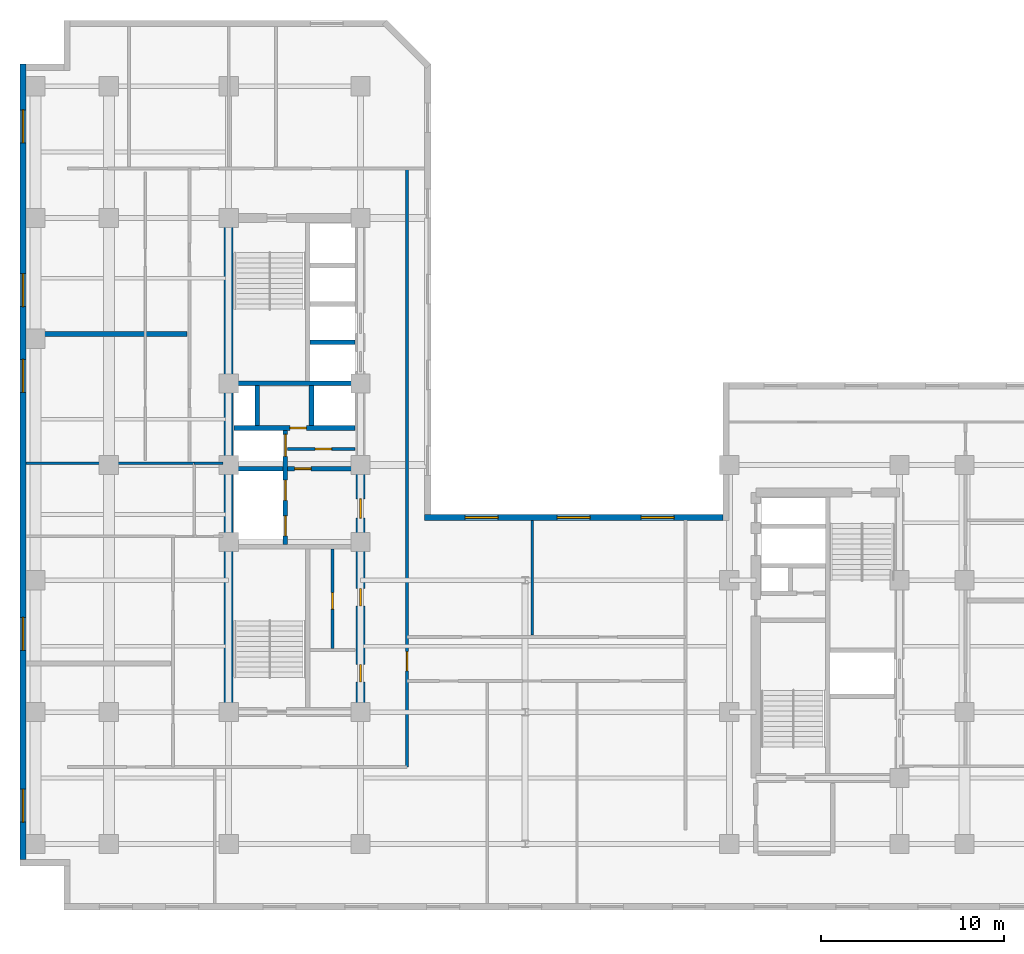
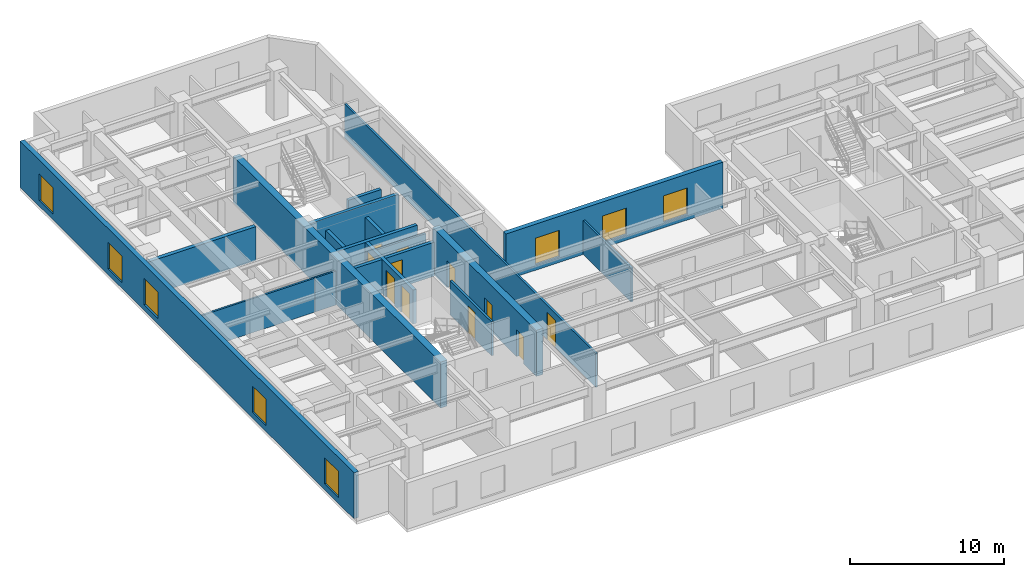
# One storey, part 4 of 10: 18 walls, 11 doors, 8 windows, 19 openings.
"""IFC4 building model written with IfcOpenShell, lengths in metres."""

from ifc_helpers import new_model, entity, si_unit, converted_unit, direction, frame, origin_with_axes, origin_2d_with_axis, place, context, subcontext, project, spatial, polyline, rectangle, outline, extrude, material, layer, layer_set, type_object, element, fill, save


model = new_model("IFC4")

# Units and contexts
model_context = context("Model", 3, precision=1e-05, world=origin_with_axes(), true_north=direction((0.0, 1.0)))
body_context = subcontext(model_context, "Body", "Model", "MODEL_VIEW")
ifc_project = project(units=[si_unit("LENGTHUNIT", "METRE"), si_unit("AREAUNIT", "SQUARE_METRE"), si_unit("VOLUMEUNIT", "CUBIC_METRE"), converted_unit("PLANEANGLEUNIT", "DEGREE", entity("IfcPlaneAngleMeasure", 0.017453292519943295), si_unit("PLANEANGLEUNIT", "RADIAN"), dimensions=[0, 0, 0, 0, 0, 0, 0]), si_unit("MASSUNIT", "GRAM", prefix="KILO"), si_unit("THERMODYNAMICTEMPERATUREUNIT", "KELVIN")], contexts=[model_context])

# Site, building, storey
site_placement = place(None, origin_with_axes())
site = spatial("IfcSite", under=ifc_project, at=site_placement, CompositionType="ELEMENT")
building_placement = place(site_placement, origin_with_axes())
building = spatial("IfcBuilding", under=site, at=building_placement, Name="Varnlund Millrace Tower", CompositionType="ELEMENT")
storey_placement = place(building_placement, frame((0.0, 0.0, 148.5), z_axis=(0.0, 0.0, 1.0), x_axis=(1.0, 0.0, 0.0)))
storey = spatial("IfcBuildingStorey", under=building, at=storey_placement, Name="L36", CompositionType="ELEMENT", Elevation=148.5)

# Wall
ifc_material_1 = material(Name="Concrete C70/85", Category="concrete")
ifc_layer_1 = layer(ifc_material_1, 0.5, Name="Concrete C70/85")
ifc_layer_set_1 = layer_set([ifc_layer_1], Name="Concrete C70/85")
wall_type_1 = type_object("IfcWallType", Name="Type-CoreWall-Shear-500-C70", PredefinedType="SHEAR", material=ifc_layer_set_1)
wall_1_placement = place(storey_placement, frame((11.4, 10.8, 0.0), z_axis=(0.0, 0.0, 1.0), x_axis=(0.0, 1.0, 0.0)))
element("IfcWall", 1, at=wall_1_placement, inside=storey, type_object=wall_type_1, Name="Type-CoreWall-Shear-500-C70", PredefinedType="SHEAR", context=body_context, shape_type="SweptSolid", body=[
    extrude(outline(polyline([(0.0, -0.25), (27.0, -0.25), (27.0, 0.25), (0.0, 0.25), (0.0, -0.25)])), origin_with_axes(), (0.0, 0.0, 1.0), 3.66),
])

# Wall, openings, doors
wall_2_placement = place(storey_placement, frame((18.6, 10.8, 0.0), z_axis=(0.0, 0.0, 1.0), x_axis=(0.0, 1.0, 0.0)))
wall_2 = element("IfcWall", 2, at=wall_2_placement, inside=storey, type_object=wall_type_1, Name="Type-CoreWall-Shear-500-C70", PredefinedType="SHEAR", context=body_context, shape_type="SweptSolid", body=[
    extrude(outline(polyline([(0.0, -0.25), (13.5, -0.25), (13.5, 0.25), (0.0, 0.25), (0.0, -0.25)])), origin_with_axes(), (0.0, 0.0, 1.0), 3.66),
])
opening_1_placement = place(wall_2_placement, frame((11.125, 0.0, 0.0), z_axis=(0.0, 0.0, 1.0), x_axis=(1.0, 0.0, 0.0)))
opening_1 = element("IfcOpeningElement", 3, at=opening_1_placement, cuts=wall_2, Name="Opening L36:DR-FFLOB-A", PredefinedType="OPENING", context=body_context, shape_type="SweptSolid", body=[
    extrude(rectangle(XDim=1.05, YDim=0.52, at=origin_2d_with_axis()), origin_with_axes(), (0.0, 0.0, 1.0), 2.15),
])
opening_2_placement = place(wall_2_placement, frame((2.125, 0.0, 0.0), z_axis=(0.0, 0.0, 1.0), x_axis=(1.0, 0.0, 0.0)))
opening_2 = element("IfcOpeningElement", 4, at=opening_2_placement, cuts=wall_2, Name="Opening L36:DR-RECL-A1-1", PredefinedType="OPENING", context=body_context, shape_type="SweptSolid", body=[
    extrude(rectangle(XDim=0.95, YDim=0.52, at=origin_2d_with_axis()), origin_with_axes(), (0.0, 0.0, 1.0), 2.15),
])
opening_3_placement = place(wall_2_placement, frame((6.275, 0.0, 0.0), z_axis=(0.0, 0.0, 1.0), x_axis=(1.0, 0.0, 0.0)))
opening_3 = element("IfcOpeningElement", 5, at=opening_3_placement, cuts=wall_2, Name="Opening L36:DR-RECL-A1-3", PredefinedType="OPENING", context=body_context, shape_type="SweptSolid", body=[
    extrude(rectangle(XDim=0.95, YDim=0.52, at=origin_2d_with_axis()), origin_with_axes(), (0.0, 0.0, 1.0), 2.15),
])
ifc_material_2 = material(Name="Smoke-barrier hollow steel fire door", Category="steel")
door_type_1 = type_object("IfcDoorType", Name="Type-FireDoor-Lobby-1050X2150", OperationType="NOTDEFINED", PredefinedType="DOOR", material=ifc_material_2)
door_1_placement = place(wall_2_placement, frame((11.125, 0.0, 0.0), z_axis=(0.0, 0.0, 1.0), x_axis=(1.0, 0.0, 0.0)))
door_1 = element("IfcDoor", 6, at=door_1_placement, inside=storey, type_object=door_type_1, Name="Type-FireDoor-Lobby-1050X2150", OperationType="SINGLE_SWING_LEFT", OverallHeight=2.15, OverallWidth=1.05, PredefinedType="DOOR", context=body_context, shape_type="SweptSolid", body=[
    extrude(rectangle(XDim=1.05, YDim=0.09, at=origin_2d_with_axis()), origin_with_axes(), (0.0, 0.0, 1.0), 2.15),
])
fill(opening_1, door_1)
ifc_material_3 = material(Name="Fire-rated hollow steel core service door", Category="steel")
door_type_2 = type_object("IfcDoorType", Name="Type-FireDoor-Service-950X2150", OperationType="NOTDEFINED", PredefinedType="DOOR", material=ifc_material_3)
door_2_placement = place(wall_2_placement, frame((2.125, 0.0, 0.0), z_axis=(0.0, 0.0, 1.0), x_axis=(1.0, 0.0, 0.0)))
door_2 = element("IfcDoor", 7, at=door_2_placement, inside=storey, type_object=door_type_2, Name="Type-FireDoor-Service-950X2150", OperationType="SINGLE_SWING_LEFT", OverallHeight=2.15, OverallWidth=0.95, PredefinedType="DOOR", context=body_context, shape_type="SweptSolid", body=[
    extrude(rectangle(XDim=0.95, YDim=0.09, at=origin_2d_with_axis()), origin_with_axes(), (0.0, 0.0, 1.0), 2.15),
])
fill(opening_2, door_2)
door_3_placement = place(wall_2_placement, frame((6.275, 0.0, 0.0), z_axis=(0.0, 0.0, 1.0), x_axis=(1.0, 0.0, 0.0)))
door_3 = element("IfcDoor", 8, at=door_3_placement, inside=storey, type_object=door_type_2, Name="Type-FireDoor-Service-950X2150", OperationType="SINGLE_SWING_RIGHT", OverallHeight=2.15, OverallWidth=0.95, PredefinedType="DOOR", context=body_context, shape_type="SweptSolid", body=[
    extrude(rectangle(XDim=0.95, YDim=0.09, at=origin_2d_with_axis()), origin_with_axes(), (0.0, 0.0, 1.0), 2.15),
])
fill(opening_3, door_3)

# Wall, openings, windows
ifc_material_4 = material(Name="Precast concrete C50/60", Category="concrete")
ifc_layer_2 = layer(ifc_material_4, 0.34, Name="Precast concrete C50/60")
ifc_layer_set_2 = layer_set([ifc_layer_2], Name="Precast concrete C50/60")
wall_type_2 = type_object("IfcWallType", Name="Type-ExtWall-Precast-Upper-340", PredefinedType="SOLIDWALL", material=ifc_layer_set_2)
wall_3_placement = place(storey_placement, frame((0.17, 2.74, 0.0), z_axis=(0.0, 0.0, 1.0), x_axis=(0.0, 1.0, 0.0)))
wall_3 = element("IfcWall", 9, at=wall_3_placement, inside=storey, type_object=wall_type_2, Name="Type-ExtWall-Precast-Upper-340", PredefinedType="SOLIDWALL", context=body_context, shape_type="SweptSolid", body=[
    extrude(outline(polyline([(0.0, -0.17), (43.46, -0.17), (43.46, 0.17), (0.0, 0.17), (0.0, -0.17)])), origin_with_axes(), (0.0, 0.0, 1.0), 3.66),
])
opening_4_placement = place(wall_3_placement, frame((2.948, 0.0, 0.45), z_axis=(0.0, 0.0, 1.0), x_axis=(1.0, 0.0, 0.0)))
opening_4 = element("IfcOpeningElement", 10, at=opening_4_placement, cuts=wall_3, Name="Opening L36:WN-19", PredefinedType="OPENING", context=body_context, shape_type="SweptSolid", body=[
    extrude(rectangle(XDim=1.8, YDim=0.36, at=origin_2d_with_axis()), origin_with_axes(), (0.0, 0.0, 1.0), 2.1),
])
opening_5_placement = place(wall_3_placement, frame((12.339, 0.0, 0.45), z_axis=(0.0, 0.0, 1.0), x_axis=(1.0, 0.0, 0.0)))
opening_5 = element("IfcOpeningElement", 11, at=opening_5_placement, cuts=wall_3, Name="Opening L36:WN-20", PredefinedType="OPENING", context=body_context, shape_type="SweptSolid", body=[
    extrude(rectangle(XDim=1.8, YDim=0.36, at=origin_2d_with_axis()), origin_with_axes(), (0.0, 0.0, 1.0), 2.1),
])
opening_6_placement = place(wall_3_placement, frame((26.426, 0.0, 0.45), z_axis=(0.0, 0.0, 1.0), x_axis=(1.0, 0.0, 0.0)))
opening_6 = element("IfcOpeningElement", 12, at=opening_6_placement, cuts=wall_3, Name="Opening L36:WN-21", PredefinedType="OPENING", context=body_context, shape_type="SweptSolid", body=[
    extrude(rectangle(XDim=1.8, YDim=0.36, at=origin_2d_with_axis()), origin_with_axes(), (0.0, 0.0, 1.0), 2.1),
])
opening_7_placement = place(wall_3_placement, frame((31.121, 0.0, 0.45), z_axis=(0.0, 0.0, 1.0), x_axis=(1.0, 0.0, 0.0)))
opening_7 = element("IfcOpeningElement", 13, at=opening_7_placement, cuts=wall_3, Name="Opening L36:WN-22", PredefinedType="OPENING", context=body_context, shape_type="SweptSolid", body=[
    extrude(rectangle(XDim=1.8, YDim=0.36, at=origin_2d_with_axis()), origin_with_axes(), (0.0, 0.0, 1.0), 2.1),
])
opening_8_placement = place(wall_3_placement, frame((40.062, 0.0, 0.45), z_axis=(0.0, 0.0, 1.0), x_axis=(1.0, 0.0, 0.0)))
opening_8 = element("IfcOpeningElement", 14, at=opening_8_placement, cuts=wall_3, Name="Opening L36:WN-23", PredefinedType="OPENING", context=body_context, shape_type="SweptSolid", body=[
    extrude(rectangle(XDim=1.8, YDim=0.36, at=origin_2d_with_axis()), origin_with_axes(), (0.0, 0.0, 1.0), 2.1),
])
ifc_material_5 = material(Name="Argon low-e triple glazing in thermally broken bronze frame", Category="glass")
window_type = type_object("IfcWindowType", Name="Type-Window-Punched-1800X2100", PartitioningType="SINGLE_PANEL", PredefinedType="WINDOW", material=ifc_material_5)
window_1_placement = place(wall_3_placement, frame((2.948, 0.0, 0.45), z_axis=(0.0, 0.0, 1.0), x_axis=(1.0, 0.0, 0.0)))
window_1 = element("IfcWindow", 15, at=window_1_placement, inside=storey, type_object=window_type, Name="Type-Window-Punched-1800X2100", OverallHeight=2.1, OverallWidth=1.8, PredefinedType="WINDOW", context=body_context, shape_type="SweptSolid", body=[
    extrude(rectangle(XDim=1.8, YDim=0.09, at=origin_2d_with_axis()), origin_with_axes(), (0.0, 0.0, 1.0), 2.1),
])
fill(opening_4, window_1)
window_2_placement = place(wall_3_placement, frame((12.339, 0.0, 0.45), z_axis=(0.0, 0.0, 1.0), x_axis=(1.0, 0.0, 0.0)))
window_2 = element("IfcWindow", 16, at=window_2_placement, inside=storey, type_object=window_type, Name="Type-Window-Punched-1800X2100", OverallHeight=2.1, OverallWidth=1.8, PredefinedType="WINDOW", context=body_context, shape_type="SweptSolid", body=[
    extrude(rectangle(XDim=1.8, YDim=0.09, at=origin_2d_with_axis()), origin_with_axes(), (0.0, 0.0, 1.0), 2.1),
])
fill(opening_5, window_2)
window_3_placement = place(wall_3_placement, frame((26.426, 0.0, 0.45), z_axis=(0.0, 0.0, 1.0), x_axis=(1.0, 0.0, 0.0)))
window_3 = element("IfcWindow", 17, at=window_3_placement, inside=storey, type_object=window_type, Name="Type-Window-Punched-1800X2100", OverallHeight=2.1, OverallWidth=1.8, PredefinedType="WINDOW", context=body_context, shape_type="SweptSolid", body=[
    extrude(rectangle(XDim=1.8, YDim=0.09, at=origin_2d_with_axis()), origin_with_axes(), (0.0, 0.0, 1.0), 2.1),
])
fill(opening_6, window_3)
window_4_placement = place(wall_3_placement, frame((31.121, 0.0, 0.45), z_axis=(0.0, 0.0, 1.0), x_axis=(1.0, 0.0, 0.0)))
window_4 = element("IfcWindow", 18, at=window_4_placement, inside=storey, type_object=window_type, Name="Type-Window-Punched-1800X2100", OverallHeight=2.1, OverallWidth=1.8, PredefinedType="WINDOW", context=body_context, shape_type="SweptSolid", body=[
    extrude(rectangle(XDim=1.8, YDim=0.09, at=origin_2d_with_axis()), origin_with_axes(), (0.0, 0.0, 1.0), 2.1),
])
fill(opening_7, window_4)
window_5_placement = place(wall_3_placement, frame((40.062, 0.0, 0.45), z_axis=(0.0, 0.0, 1.0), x_axis=(1.0, 0.0, 0.0)))
window_5 = element("IfcWindow", 19, at=window_5_placement, inside=storey, type_object=window_type, Name="Type-Window-Punched-1800X2100", OverallHeight=2.1, OverallWidth=1.8, PredefinedType="WINDOW", context=body_context, shape_type="SweptSolid", body=[
    extrude(rectangle(XDim=1.8, YDim=0.09, at=origin_2d_with_axis()), origin_with_axes(), (0.0, 0.0, 1.0), 2.1),
])
fill(opening_8, window_5)

wall_4_placement = place(storey_placement, frame((22.101, 21.43, 0.0), z_axis=(0.0, 0.0, 1.0), x_axis=(1.0, 0.0, 0.0)))
wall_4 = element("IfcWall", 20, at=wall_4_placement, inside=storey, type_object=wall_type_2, Name="Type-ExtWall-Precast-Upper-340", PredefinedType="SOLIDWALL", context=body_context, shape_type="SweptSolid", body=[
    extrude(outline(polyline([(0.0, -0.17), (16.299, -0.17), (16.299, 0.17), (0.0, 0.17), (0.0, -0.17)])), origin_with_axes(), (0.0, 0.0, 1.0), 3.66),
])
opening_9_placement = place(wall_4_placement, frame((3.117, 0.0, 0.45), z_axis=(0.0, 0.0, 1.0), x_axis=(1.0, 0.0, 0.0)))
opening_9 = element("IfcOpeningElement", 21, at=opening_9_placement, cuts=wall_4, Name="Opening L36:WN-30", PredefinedType="OPENING", context=body_context, shape_type="SweptSolid", body=[
    extrude(rectangle(XDim=1.8, YDim=0.36, at=origin_2d_with_axis()), origin_with_axes(), (0.0, 0.0, 1.0), 2.1),
])
opening_10_placement = place(wall_4_placement, frame((8.149, 0.0, 0.45), z_axis=(0.0, 0.0, 1.0), x_axis=(1.0, 0.0, 0.0)))
opening_10 = element("IfcOpeningElement", 22, at=opening_10_placement, cuts=wall_4, Name="Opening L36:WN-31", PredefinedType="OPENING", context=body_context, shape_type="SweptSolid", body=[
    extrude(rectangle(XDim=1.8, YDim=0.36, at=origin_2d_with_axis()), origin_with_axes(), (0.0, 0.0, 1.0), 2.1),
])
opening_11_placement = place(wall_4_placement, frame((12.733, 0.0, 0.45), z_axis=(0.0, 0.0, 1.0), x_axis=(1.0, 0.0, 0.0)))
opening_11 = element("IfcOpeningElement", 23, at=opening_11_placement, cuts=wall_4, Name="Opening L36:WN-32", PredefinedType="OPENING", context=body_context, shape_type="SweptSolid", body=[
    extrude(rectangle(XDim=1.8, YDim=0.36, at=origin_2d_with_axis()), origin_with_axes(), (0.0, 0.0, 1.0), 2.1),
])
window_6_placement = place(wall_4_placement, frame((3.117, 0.0, 0.45), z_axis=(0.0, 0.0, 1.0), x_axis=(1.0, 0.0, 0.0)))
window_6 = element("IfcWindow", 24, at=window_6_placement, inside=storey, type_object=window_type, Name="Type-Window-Punched-1800X2100", OverallHeight=2.1, OverallWidth=1.8, PredefinedType="WINDOW", context=body_context, shape_type="SweptSolid", body=[
    extrude(rectangle(XDim=1.8, YDim=0.09, at=origin_2d_with_axis()), origin_with_axes(), (0.0, 0.0, 1.0), 2.1),
])
fill(opening_9, window_6)
window_7_placement = place(wall_4_placement, frame((8.149, 0.0, 0.45), z_axis=(0.0, 0.0, 1.0), x_axis=(1.0, 0.0, 0.0)))
window_7 = element("IfcWindow", 25, at=window_7_placement, inside=storey, type_object=window_type, Name="Type-Window-Punched-1800X2100", OverallHeight=2.1, OverallWidth=1.8, PredefinedType="WINDOW", context=body_context, shape_type="SweptSolid", body=[
    extrude(rectangle(XDim=1.8, YDim=0.09, at=origin_2d_with_axis()), origin_with_axes(), (0.0, 0.0, 1.0), 2.1),
])
fill(opening_10, window_7)
window_8_placement = place(wall_4_placement, frame((12.733, 0.0, 0.45), z_axis=(0.0, 0.0, 1.0), x_axis=(1.0, 0.0, 0.0)))
window_8 = element("IfcWindow", 26, at=window_8_placement, inside=storey, type_object=window_type, Name="Type-Window-Punched-1800X2100", OverallHeight=2.1, OverallWidth=1.8, PredefinedType="WINDOW", context=body_context, shape_type="SweptSolid", body=[
    extrude(rectangle(XDim=1.8, YDim=0.09, at=origin_2d_with_axis()), origin_with_axes(), (0.0, 0.0, 1.0), 2.1),
])
fill(opening_11, window_8)

# Wall
ifc_material_6 = material(Name="Double-stud STC-60 conference acoustic partition", Category="gypsum")
ifc_layer_3 = layer(ifc_material_6, 0.28, Name="Double-stud STC-60 conference acoustic partition")
ifc_layer_set_3 = layer_set([ifc_layer_3], Name="Double-stud STC-60 conference acoustic partition")
wall_type_3 = type_object("IfcWallType", Name="Type-Partition-Acoustic-280", PredefinedType="PARTITIONING", material=ifc_layer_set_3)
wall_5_placement = place(storey_placement, frame((0.335, 31.455, 0.0), z_axis=(0.0, 0.0, 1.0), x_axis=(1.0, 0.0, 0.0)))
element("IfcWall", 27, at=wall_5_placement, inside=storey, type_object=wall_type_3, Name="Type-Partition-Acoustic-280", PredefinedType="PARTITIONING", context=body_context, shape_type="SweptSolid", body=[
    extrude(outline(polyline([(0.0, -0.14), (8.795, -0.14), (8.795, 0.14), (0.0, 0.14), (0.0, -0.14)])), origin_with_axes(), (0.0, 0.0, 1.0), 2.7),
])

# Wall, opening, door
ifc_material_7 = material(Name="Fire-rated gypsum board on cold-formed steel framing", Category="steel")
ifc_layer_4 = layer(ifc_material_7, 0.16, Name="Fire-rated gypsum board on cold-formed steel framing")
ifc_layer_set_4 = layer_set([ifc_layer_4], Name="Fire-rated gypsum board on cold-formed steel framing")
wall_type_4 = type_object("IfcWallType", Name="Type-Partition-Corridor-160", PredefinedType="PARTITIONING", material=ifc_layer_set_4)
wall_6_placement = place(storey_placement, frame((14.62, 25.18, 0.0), z_axis=(0.0, 0.0, 1.0), x_axis=(1.0, 0.0, 0.0)))
wall_6 = element("IfcWall", 28, at=wall_6_placement, inside=storey, type_object=wall_type_4, Name="Type-Partition-Corridor-160", PredefinedType="PARTITIONING", context=body_context, shape_type="SweptSolid", body=[
    extrude(outline(polyline([(0.0, -0.08), (3.68, -0.08), (3.68, 0.08), (0.0, 0.08), (0.0, -0.08)])), origin_with_axes(), (0.0, 0.0, 1.0), 2.7),
])
opening_12_placement = place(wall_6_placement, frame((1.95, 0.0, 0.0), z_axis=(0.0, 0.0, 1.0), x_axis=(1.0, 0.0, 0.0)))
opening_12 = element("IfcOpeningElement", 29, at=opening_12_placement, cuts=wall_6, Name="Opening L36:DR-CA-SUB2", PredefinedType="OPENING", context=body_context, shape_type="SweptSolid", body=[
    extrude(rectangle(XDim=0.9, YDim=0.18, at=origin_2d_with_axis()), origin_with_axes(), (0.0, 0.0, 1.0), 2.15),
])
ifc_material_8 = material(Name="Painted steel riser and closet door", Category="steel")
door_type_3 = type_object("IfcDoorType", Name="Type-IntDoor-Closet-900X2150", OperationType="NOTDEFINED", PredefinedType="DOOR", material=ifc_material_8)
door_4_placement = place(wall_6_placement, frame((1.95, 0.0, 0.0), z_axis=(0.0, 0.0, 1.0), x_axis=(1.0, 0.0, 0.0)))
door_4 = element("IfcDoor", 30, at=door_4_placement, inside=storey, type_object=door_type_3, Name="Type-IntDoor-Closet-900X2150", OperationType="SINGLE_SWING_LEFT", OverallHeight=2.15, OverallWidth=0.9, PredefinedType="DOOR", context=body_context, shape_type="SweptSolid", body=[
    extrude(rectangle(XDim=0.9, YDim=0.09, at=origin_2d_with_axis()), origin_with_axes(), (0.0, 0.0, 1.0), 2.15),
])
fill(opening_12, door_4)

wall_7_placement = place(storey_placement, frame((17.07, 14.28, 0.0), z_axis=(0.0, 0.0, 1.0), x_axis=(0.0, 1.0, 0.0)))
wall_7 = element("IfcWall", 31, at=wall_7_placement, inside=storey, type_object=wall_type_4, Name="Type-Partition-Corridor-160", PredefinedType="PARTITIONING", context=body_context, shape_type="SweptSolid", body=[
    extrude(outline(polyline([(0.0, -0.08), (5.42, -0.08), (5.42, 0.08), (0.0, 0.08), (0.0, -0.08)])), origin_with_axes(), (0.0, 0.0, 1.0), 2.7),
])
opening_13_placement = place(wall_7_placement, frame((2.6, 0.0, 0.0), z_axis=(0.0, 0.0, 1.0), x_axis=(1.0, 0.0, 0.0)))
opening_13 = element("IfcOpeningElement", 32, at=opening_13_placement, cuts=wall_7, Name="Opening L36:DR-RECL-A1-2", PredefinedType="OPENING", context=body_context, shape_type="SweptSolid", body=[
    extrude(rectangle(XDim=0.9, YDim=0.18, at=origin_2d_with_axis()), origin_with_axes(), (0.0, 0.0, 1.0), 2.15),
])
door_5_placement = place(wall_7_placement, frame((2.6, 0.0, 0.0), z_axis=(0.0, 0.0, 1.0), x_axis=(1.0, 0.0, 0.0)))
door_5 = element("IfcDoor", 33, at=door_5_placement, inside=storey, type_object=door_type_3, Name="Type-IntDoor-Closet-900X2150", OperationType="SINGLE_SWING_LEFT", OverallHeight=2.15, OverallWidth=0.9, PredefinedType="DOOR", context=body_context, shape_type="SweptSolid", body=[
    extrude(rectangle(XDim=0.9, YDim=0.09, at=origin_2d_with_axis()), origin_with_axes(), (0.0, 0.0, 1.0), 2.15),
])
fill(opening_13, door_5)

wall_8_placement = place(storey_placement, frame((21.15, 7.8, 0.0), z_axis=(0.0, 0.0, 1.0), x_axis=(0.0, 1.0, 0.0)))
wall_8 = element("IfcWall", 34, at=wall_8_placement, inside=storey, type_object=wall_type_4, Name="Type-Partition-Corridor-160", PredefinedType="PARTITIONING", context=body_context, shape_type="SweptSolid", body=[
    extrude(outline(polyline([(0.0, -0.08), (32.7, -0.08), (32.7, 0.08), (0.0, 0.08), (0.0, -0.08)])), origin_with_axes(), (0.0, 0.0, 1.0), 2.7),
])
opening_14_placement = place(wall_8_placement, frame((5.775, 0.0, 0.0), z_axis=(0.0, 0.0, 1.0), x_axis=(1.0, 0.0, 0.0)))
opening_14 = element("IfcOpeningElement", 35, at=opening_14_placement, cuts=wall_8, Name="Opening L36:DR-KN-W", PredefinedType="OPENING", context=body_context, shape_type="SweptSolid", body=[
    extrude(rectangle(XDim=1.05, YDim=0.18, at=origin_2d_with_axis()), origin_with_axes(), (0.0, 0.0, 1.0), 2.15),
])
door_6_placement = place(wall_8_placement, frame((5.775, 0.0, 0.0), z_axis=(0.0, 0.0, 1.0), x_axis=(1.0, 0.0, 0.0)))
door_6 = element("IfcDoor", 36, at=door_6_placement, inside=storey, type_object=door_type_1, Name="Type-FireDoor-Lobby-1050X2150", OperationType="SINGLE_SWING_LEFT", OverallHeight=2.15, OverallWidth=1.05, PredefinedType="DOOR", context=body_context, shape_type="SweptSolid", body=[
    extrude(rectangle(XDim=1.05, YDim=0.09, at=origin_2d_with_axis()), origin_with_axes(), (0.0, 0.0, 1.0), 2.15),
])
fill(opening_14, door_6)

# Walls
ifc_material_9 = material(Name="Acoustic STC-50 gypsum board partition", Category="gypsum")
ifc_layer_5 = layer(ifc_material_9, 0.15, Name="Acoustic STC-50 gypsum board partition")
ifc_layer_set_5 = layer_set([ifc_layer_5], Name="Acoustic STC-50 gypsum board partition")
wall_type_5 = type_object("IfcWallType", Name="Type-Partition-Demising-150", PredefinedType="PARTITIONING", material=ifc_layer_set_5)
wall_9_placement = place(storey_placement, frame((27.983, 15.02, 0.0), z_axis=(0.0, 0.0, 1.0), x_axis=(0.0, 1.0, 0.0)))
element("IfcWall", 37, at=wall_9_placement, inside=storey, type_object=wall_type_5, Name="Type-Partition-Demising-150", PredefinedType="PARTITIONING", context=body_context, shape_type="SweptSolid", body=[
    extrude(outline(polyline([(0.0, -0.075), (6.245, -0.075), (6.245, 0.075), (0.0, 0.075), (0.0, -0.075)])), origin_with_axes(), (0.0, 0.0, 1.0), 2.7),
])
ifc_material_10 = material(Name="Moisture-resistant gypsum restroom partition", Category="gypsum")
ifc_layer_6 = layer(ifc_material_10, 0.14, Name="Moisture-resistant gypsum restroom partition")
ifc_layer_set_6 = layer_set([ifc_layer_6], Name="Moisture-resistant gypsum restroom partition")
wall_type_6 = type_object("IfcWallType", Name="Type-Partition-Wet-140", PredefinedType="PARTITIONING", material=ifc_layer_set_6)
wall_10_placement = place(storey_placement, frame((9.52, 24.4, 0.0), z_axis=(0.0, 0.0, 1.0), x_axis=(1.0, 0.0, 0.0)))
element("IfcWall", 38, at=wall_10_placement, inside=storey, type_object=wall_type_6, Name="Type-Partition-Wet-140", PredefinedType="PARTITIONING", context=body_context, shape_type="SweptSolid", body=[
    extrude(outline(polyline([(0.0, -0.07), (1.58, -0.07), (1.58, 0.07), (0.0, 0.07), (0.0, -0.07)])), origin_with_axes(), (0.0, 0.0, 1.0), 2.7),
])
wall_11_placement = place(storey_placement, frame((0.335, 24.4, 0.0), z_axis=(0.0, 0.0, 1.0), x_axis=(1.0, 0.0, 0.0)))
element("IfcWall", 39, at=wall_11_placement, inside=storey, type_object=wall_type_6, Name="Type-Partition-Wet-140", PredefinedType="PARTITIONING", context=body_context, shape_type="SweptSolid", body=[
    extrude(outline(polyline([(0.0, -0.07), (9.185, -0.07), (9.185, 0.07), (0.0, 0.07), (0.0, -0.07)])), origin_with_axes(), (0.0, 0.0, 1.0), 2.7),
])

# Wall, openings, doors
ifc_material_11 = material(Name="Concrete C60/75", Category="concrete")
ifc_layer_7 = layer(ifc_material_11, 0.25, Name="Concrete C60/75")
ifc_layer_set_7 = layer_set([ifc_layer_7], Name="Concrete C60/75")
wall_type_7 = type_object("IfcWallType", Name="Type-ShaftWall-Fire-250", PredefinedType="SOLIDWALL", material=ifc_layer_set_7)
wall_12_placement = place(storey_placement, frame((14.5, 19.95, 0.0), z_axis=(0.0, 0.0, 1.0), x_axis=(0.0, 1.0, 0.0)))
wall_12 = element("IfcWall", 40, at=wall_12_placement, inside=storey, type_object=wall_type_7, Name="Type-ShaftWall-Fire-250", PredefinedType="SOLIDWALL", context=body_context, shape_type="SweptSolid", body=[
    extrude(outline(polyline([(0.0, -0.125), (6.25, -0.125), (6.25, 0.125), (0.0, 0.125), (0.0, -0.125)])), origin_with_axes(), (0.0, 0.0, 1.0), 2.7),
])
opening_15_placement = place(wall_12_placement, frame((1.025, 0.0, 0.0), z_axis=(0.0, 0.0, 1.0), x_axis=(1.0, 0.0, 0.0)))
opening_15 = element("IfcOpeningElement", 41, at=opening_15_placement, cuts=wall_12, Name="Opening L36:LD-FSAE1", PredefinedType="OPENING", context=body_context, shape_type="SweptSolid", body=[
    extrude(rectangle(XDim=1.1, YDim=0.27, at=origin_2d_with_axis()), origin_with_axes(), (0.0, 0.0, 1.0), 2.15),
])
opening_16_placement = place(wall_12_placement, frame((2.975, 0.0, 0.0), z_axis=(0.0, 0.0, 1.0), x_axis=(1.0, 0.0, 0.0)))
opening_16 = element("IfcOpeningElement", 42, at=opening_16_placement, cuts=wall_12, Name="Opening L36:LD-FSAE2", PredefinedType="OPENING", context=body_context, shape_type="SweptSolid", body=[
    extrude(rectangle(XDim=1.1, YDim=0.27, at=origin_2d_with_axis()), origin_with_axes(), (0.0, 0.0, 1.0), 2.15),
])
opening_17_placement = place(wall_12_placement, frame((5.425, 0.0, 0.0), z_axis=(0.0, 0.0, 1.0), x_axis=(1.0, 0.0, 0.0)))
opening_17 = element("IfcOpeningElement", 43, at=opening_17_placement, cuts=wall_12, Name="Opening L36:LD-SRV1", PredefinedType="OPENING", context=body_context, shape_type="SweptSolid", body=[
    extrude(rectangle(XDim=1.2, YDim=0.27, at=origin_2d_with_axis()), origin_with_axes(), (0.0, 0.0, 1.0), 2.15),
])
ifc_material_12 = material(Name="Stainless and architectural bronze sliding landing door")
door_type_4 = type_object("IfcDoorType", Name="Type-LiftLandingDoor-1100X2150", OperationType="NOTDEFINED", PredefinedType="DOOR", material=ifc_material_12)
door_7_placement = place(wall_12_placement, frame((1.025, 0.0, 0.0), z_axis=(0.0, 0.0, 1.0), x_axis=(1.0, 0.0, 0.0)))
door_7 = element("IfcDoor", 44, at=door_7_placement, inside=storey, type_object=door_type_4, Name="Type-LiftLandingDoor-1100X2150", OperationType="SLIDING_TO_LEFT", OverallHeight=2.15, OverallWidth=1.1, PredefinedType="DOOR", context=body_context, shape_type="SweptSolid", body=[
    extrude(rectangle(XDim=1.1, YDim=0.09, at=origin_2d_with_axis()), origin_with_axes(), (0.0, 0.0, 1.0), 2.15),
])
fill(opening_15, door_7)
door_8_placement = place(wall_12_placement, frame((2.975, 0.0, 0.0), z_axis=(0.0, 0.0, 1.0), x_axis=(1.0, 0.0, 0.0)))
door_8 = element("IfcDoor", 45, at=door_8_placement, inside=storey, type_object=door_type_4, Name="Type-LiftLandingDoor-1100X2150", OperationType="SLIDING_TO_RIGHT", OverallHeight=2.15, OverallWidth=1.1, PredefinedType="DOOR", context=body_context, shape_type="SweptSolid", body=[
    extrude(rectangle(XDim=1.1, YDim=0.09, at=origin_2d_with_axis()), origin_with_axes(), (0.0, 0.0, 1.0), 2.15),
])
fill(opening_16, door_8)
ifc_material_13 = material(Name="Heavy-duty freight sliding landing door")
door_type_5 = type_object("IfcDoorType", Name="Type-LiftLandingDoor-Service-1200X2150", OperationType="NOTDEFINED", PredefinedType="DOOR", material=ifc_material_13)
door_9_placement = place(wall_12_placement, frame((5.425, 0.0, 0.0), z_axis=(0.0, 0.0, 1.0), x_axis=(1.0, 0.0, 0.0)))
door_9 = element("IfcDoor", 46, at=door_9_placement, inside=storey, type_object=door_type_5, Name="Type-LiftLandingDoor-Service-1200X2150", OperationType="DOUBLE_DOOR_SLIDING", OverallHeight=2.15, OverallWidth=1.2, PredefinedType="DOOR", context=body_context, shape_type="SweptSolid", body=[
    extrude(rectangle(XDim=1.2, YDim=0.09, at=origin_2d_with_axis()), origin_with_axes(), (0.0, 0.0, 1.0), 2.15),
])
fill(opening_17, door_9)

# Wall, opening, door
wall_13_placement = place(storey_placement, frame((11.7, 24.1, 0.0), z_axis=(0.0, 0.0, 1.0), x_axis=(1.0, 0.0, 0.0)))
wall_13 = element("IfcWall", 47, at=wall_13_placement, inside=storey, type_object=wall_type_7, Name="Type-ShaftWall-Fire-250", PredefinedType="SOLIDWALL", context=body_context, shape_type="SweptSolid", body=[
    extrude(outline(polyline([(0.0, -0.125), (6.6, -0.125), (6.6, 0.125), (0.0, 0.125), (0.0, -0.125)])), origin_with_axes(), (0.0, 0.0, 1.0), 2.7),
])
opening_18_placement = place(wall_13_placement, frame((3.75, 0.0, 0.0), z_axis=(0.0, 0.0, 1.0), x_axis=(1.0, 0.0, 0.0)))
opening_18 = element("IfcOpeningElement", 48, at=opening_18_placement, cuts=wall_13, Name="Opening L36:DR-CA-SUB1", PredefinedType="OPENING", context=body_context, shape_type="SweptSolid", body=[
    extrude(rectangle(XDim=0.9, YDim=0.27, at=origin_2d_with_axis()), origin_with_axes(), (0.0, 0.0, 1.0), 2.15),
])
ifc_material_14 = material(Name="Fire-rated hollow steel service closet door", Category="steel")
door_type_6 = type_object("IfcDoorType", Name="Type-FireDoor-Closet-900X2150", OperationType="NOTDEFINED", PredefinedType="DOOR", material=ifc_material_14)
door_10_placement = place(wall_13_placement, frame((3.75, 0.0, 0.0), z_axis=(0.0, 0.0, 1.0), x_axis=(1.0, 0.0, 0.0)))
door_10 = element("IfcDoor", 49, at=door_10_placement, inside=storey, type_object=door_type_6, Name="Type-FireDoor-Closet-900X2150", OperationType="SINGLE_SWING_LEFT", OverallHeight=2.15, OverallWidth=0.9, PredefinedType="DOOR", context=body_context, shape_type="SweptSolid", body=[
    extrude(rectangle(XDim=0.9, YDim=0.09, at=origin_2d_with_axis()), origin_with_axes(), (0.0, 0.0, 1.0), 2.15),
])
fill(opening_18, door_10)

wall_14_placement = place(storey_placement, frame((11.7, 26.325, 0.0), z_axis=(0.0, 0.0, 1.0), x_axis=(1.0, 0.0, 0.0)))
wall_14 = element("IfcWall", 50, at=wall_14_placement, inside=storey, type_object=wall_type_7, Name="Type-ShaftWall-Fire-250", PredefinedType="SOLIDWALL", context=body_context, shape_type="SweptSolid", body=[
    extrude(outline(polyline([(0.0, -0.125), (6.6, -0.125), (6.6, 0.125), (0.0, 0.125), (0.0, -0.125)])), origin_with_axes(), (0.0, 0.0, 1.0), 2.7),
])
opening_19_placement = place(wall_14_placement, frame((3.5, 0.0, 0.0), z_axis=(0.0, 0.0, 1.0), x_axis=(1.0, 0.0, 0.0)))
opening_19 = element("IfcOpeningElement", 51, at=opening_19_placement, cuts=wall_14, Name="Opening L36:DR-CA-ELC", PredefinedType="OPENING", context=body_context, shape_type="SweptSolid", body=[
    extrude(rectangle(XDim=0.9, YDim=0.27, at=origin_2d_with_axis()), origin_with_axes(), (0.0, 0.0, 1.0), 2.15),
])
door_11_placement = place(wall_14_placement, frame((3.5, 0.0, 0.0), z_axis=(0.0, 0.0, 1.0), x_axis=(1.0, 0.0, 0.0)))
door_11 = element("IfcDoor", 52, at=door_11_placement, inside=storey, type_object=door_type_6, Name="Type-FireDoor-Closet-900X2150", OperationType="SINGLE_SWING_LEFT", OverallHeight=2.15, OverallWidth=0.9, PredefinedType="DOOR", context=body_context, shape_type="SweptSolid", body=[
    extrude(rectangle(XDim=0.9, YDim=0.09, at=origin_2d_with_axis()), origin_with_axes(), (0.0, 0.0, 1.0), 2.15),
])
fill(opening_19, door_11)

# Walls
for number, where, z_axis, x_axis, name in (
    (53, (12.96, 26.45, 0.0), (0.0, 0.0, 1.0), (0.0, 1.0, 0.0), "Type-ShaftWall-Fire-250"),
    (54, (15.925, 26.45, 0.0), (0.0, 0.0, 1.0), (0.0, 1.0, 0.0), "Type-ShaftWall-Fire-250"),
):
    element("IfcWall", number, at=place(storey_placement, frame(where, z_axis=z_axis, x_axis=x_axis)), inside=storey, type_object=wall_type_7, Name=name, PredefinedType="SOLIDWALL", context=body_context, shape_type="SweptSolid", body=[
        extrude(outline(polyline([(0.0, -0.125), (2.2, -0.125), (2.2, 0.125), (0.0, 0.125), (0.0, -0.125)])), origin_with_axes(), (0.0, 0.0, 1.0), 2.7),
    ])
wall_15_placement = place(storey_placement, frame((15.84, 31.0, 0.0), z_axis=(0.0, 0.0, 1.0), x_axis=(1.0, 0.0, 0.0)))
element("IfcWall", 55, at=wall_15_placement, inside=storey, type_object=wall_type_7, Name="Type-ShaftWall-Fire-250", PredefinedType="SOLIDWALL", context=body_context, shape_type="SweptSolid", body=[
    extrude(outline(polyline([(0.0, -0.125), (2.46, -0.125), (2.46, 0.125), (0.0, 0.125), (0.0, -0.125)])), origin_with_axes(), (0.0, 0.0, 1.0), 2.7),
])
wall_type_8 = type_object("IfcWallType", Name="Type-StairWall-Shear-250", PredefinedType="SHEAR", material=ifc_layer_set_7)
wall_16_placement = place(storey_placement, frame((11.65, 28.775, 0.0), z_axis=(0.0, 0.0, 1.0), x_axis=(1.0, 0.0, 0.0)))
element("IfcWall", 56, at=wall_16_placement, inside=storey, type_object=wall_type_8, Name="Type-StairWall-Shear-250", PredefinedType="SHEAR", context=body_context, shape_type="SweptSolid", body=[
    extrude(outline(polyline([(0.0, -0.125), (6.7, -0.125), (6.7, 0.125), (0.0, 0.125), (0.0, -0.125)])), origin_with_axes(), (0.0, 0.0, 1.0), 3.66),
])

save(model, "model.ifc")
